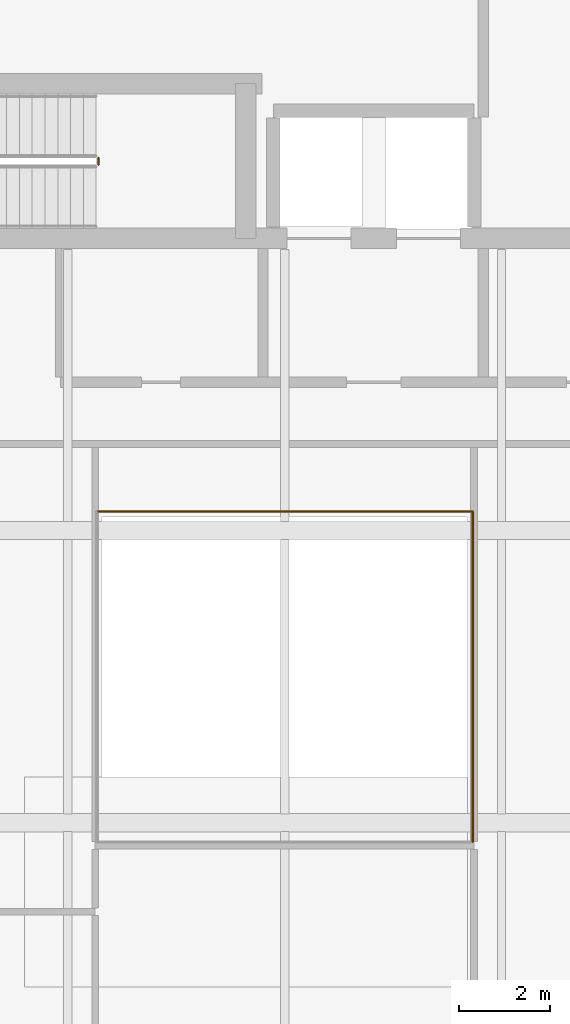
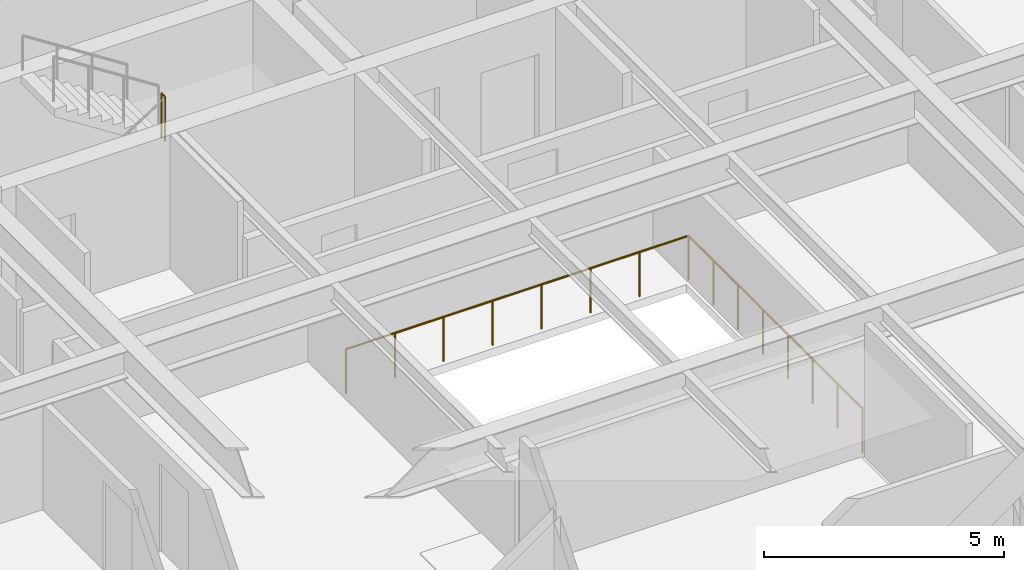
# One storey, part 11 of 12: 3 railings.
"""IFC4 building model written with IfcOpenShell, lengths in metres."""

from ifc_helpers import new_model, si_unit, direction, frame, origin, origin_2d, place, context, subcontext, project, spatial, circle, extrude, material, type_object, element, save


model = new_model("IFC4")

# Units and contexts
model_context = context("Model", 3, precision=1e-05, world=origin(), true_north=direction((0.0, 1.0)))
body_context = subcontext(model_context, "Body", "Model", "MODEL_VIEW")
ifc_project = project(units=[si_unit("LENGTHUNIT", "METRE"), si_unit("AREAUNIT", "SQUARE_METRE"), si_unit("VOLUMEUNIT", "CUBIC_METRE"), si_unit("PLANEANGLEUNIT", "RADIAN"), si_unit("MASSUNIT", "GRAM", prefix="KILO")], contexts=[model_context])

# Site, building, storey
site_placement = place(None, origin())
site = spatial("IfcSite", under=ifc_project, at=site_placement, CompositionType="ELEMENT")
building_placement = place(site_placement, origin())
building = spatial("IfcBuilding", under=site, at=building_placement, Name="Mirazonda Arch Towers", CompositionType="ELEMENT")
storey_placement = place(building_placement, frame((0.0, 0.0, 252.699951171875)))
storey = spatial("IfcBuildingStorey", under=building, at=storey_placement, Name="L72", CompositionType="ELEMENT", Elevation=252.699951171875)

# Railings
ifc_material_1 = material(Name="Insulated Low-E Solar Glass", Category="glass")
railing_type_1 = type_object("IfcRailingType", Name="BALUSTRADE-ATRIUM-1150", PredefinedType="BALUSTRADE", material=ifc_material_1)
railing_1_placement = place(storey_placement, frame((24.6201171875, 24.3798828125, 0.0)))
element("IfcRailing", 1, at=railing_1_placement, inside=storey, type_object=railing_type_1, Name="L72 L72 Sky-Lookout Oculus Balustrade 02", PredefinedType="BALUSTRADE", context=body_context, shape_type="SweptSolid", body=[
    extrude(circle(Radius=0.02392578125, at=origin_2d()), frame((0.0, 0.0, 1.1259765625), z_axis=(0.0, 1.0, 0.0), x_axis=(-1.0, 0.0, 0.0)), (0.0, 0.0, 1.0), 7.240234375),
    extrude(circle(Radius=0.02099609375, at=origin_2d()), origin(), (0.0, 0.0, 1.0), 1.101806640625),
    extrude(circle(Radius=0.02099609375, at=origin_2d()), frame((0.0, 1.034423828125, 0.0)), (0.0, 0.0, 1.0), 1.101806640625),
    extrude(circle(Radius=0.02099609375, at=origin_2d()), frame((0.0, 2.068603515625, 0.0)), (0.0, 0.0, 1.0), 1.101806640625),
    extrude(circle(Radius=0.02099609375, at=origin_2d()), frame((0.0, 3.10302734375, 0.0)), (0.0, 0.0, 1.0), 1.101806640625),
    extrude(circle(Radius=0.02099609375, at=origin_2d()), frame((0.0, 4.13720703125, 0.0)), (0.0, 0.0, 1.0), 1.101806640625),
    extrude(circle(Radius=0.02099609375, at=origin_2d()), frame((0.0, 5.171630859375, 0.0)), (0.0, 0.0, 1.0), 1.101806640625),
    extrude(circle(Radius=0.02099609375, at=origin_2d()), frame((0.0, 6.205810546875, 0.0)), (0.0, 0.0, 1.0), 1.101806640625),
    extrude(circle(Radius=0.02099609375, at=origin_2d()), frame((0.0, 7.240234375, 0.0)), (0.0, 0.0, 1.0), 1.101806640625),
])
railing_2_placement = place(storey_placement, frame((24.6201171875, 31.6201171875, 0.0)))
element("IfcRailing", 2, at=railing_2_placement, inside=storey, type_object=railing_type_1, Name="L72 L72 Sky-Lookout Oculus Balustrade 03", PredefinedType="BALUSTRADE", context=body_context, shape_type="SweptSolid", body=[
    extrude(circle(Radius=0.02392578125, at=origin_2d()), frame((0.0, 0.0, 1.1259765625), z_axis=(-1.0, 0.0, 0.0), x_axis=(0.0, -1.0, 0.0)), (0.0, 0.0, 1.0), 8.240234375),
    extrude(circle(Radius=0.02099609375, at=origin_2d()), origin(), (0.0, 0.0, 1.0), 1.101806640625),
    extrude(circle(Radius=0.02099609375, at=origin_2d()), frame((-1.17724609375, 0.0, 0.0)), (0.0, 0.0, 1.0), 1.101806640625),
    extrude(circle(Radius=0.02099609375, at=origin_2d()), frame((-2.354248046875, 0.0, 0.0)), (0.0, 0.0, 1.0), 1.101806640625),
    extrude(circle(Radius=0.02099609375, at=origin_2d()), frame((-3.531494140625, 0.0, 0.0)), (0.0, 0.0, 1.0), 1.101806640625),
    extrude(circle(Radius=0.02099609375, at=origin_2d()), frame((-4.708740234375, 0.0, 0.0)), (0.0, 0.0, 1.0), 1.101806640625),
    extrude(circle(Radius=0.02099609375, at=origin_2d()), frame((-5.885986328125, 0.0, 0.0)), (0.0, 0.0, 1.0), 1.101806640625),
    extrude(circle(Radius=0.02099609375, at=origin_2d()), frame((-7.06298828125, 0.0, 0.0)), (0.0, 0.0, 1.0), 1.101806640625),
    extrude(circle(Radius=0.02099609375, at=origin_2d()), frame((-8.240234375, 0.0, 0.0)), (0.0, 0.0, 1.0), 1.101806640625),
])
ifc_material_2 = material(Name="Architectural Brushed Steel S355", Category="steel")
railing_type_2 = type_object("IfcRailingType", Name="GUARD-STAIR-1120", PredefinedType="GUARDRAIL", material=ifc_material_2)
railing_3_placement = place(storey_placement, frame((16.419921875, 39.219970703125, 1.800048828125)))
element("IfcRailing", 3, at=railing_3_placement, inside=storey, type_object=railing_type_2, Name="L72 ST-T1N stair guard 2", PredefinedType="GUARDRAIL", context=body_context, shape_type="SweptSolid", body=[
    extrude(circle(Radius=0.02392578125, at=origin_2d()), frame((0.0, 0.0, 1.1259765625), z_axis=(0.0, 1.0, 0.0), x_axis=(-1.0, 0.0, 0.0)), (0.0, 0.0, 1.0), 0.14013671875),
    extrude(circle(Radius=0.02099609375, at=origin_2d()), origin(), (0.0, 0.0, 1.0), 1.101806640625),
    extrude(circle(Radius=0.02099609375, at=origin_2d()), frame((0.0, 0.14013671875, 0.0)), (0.0, 0.0, 1.0), 1.101806640625),
])

save(model, "model.ifc")
